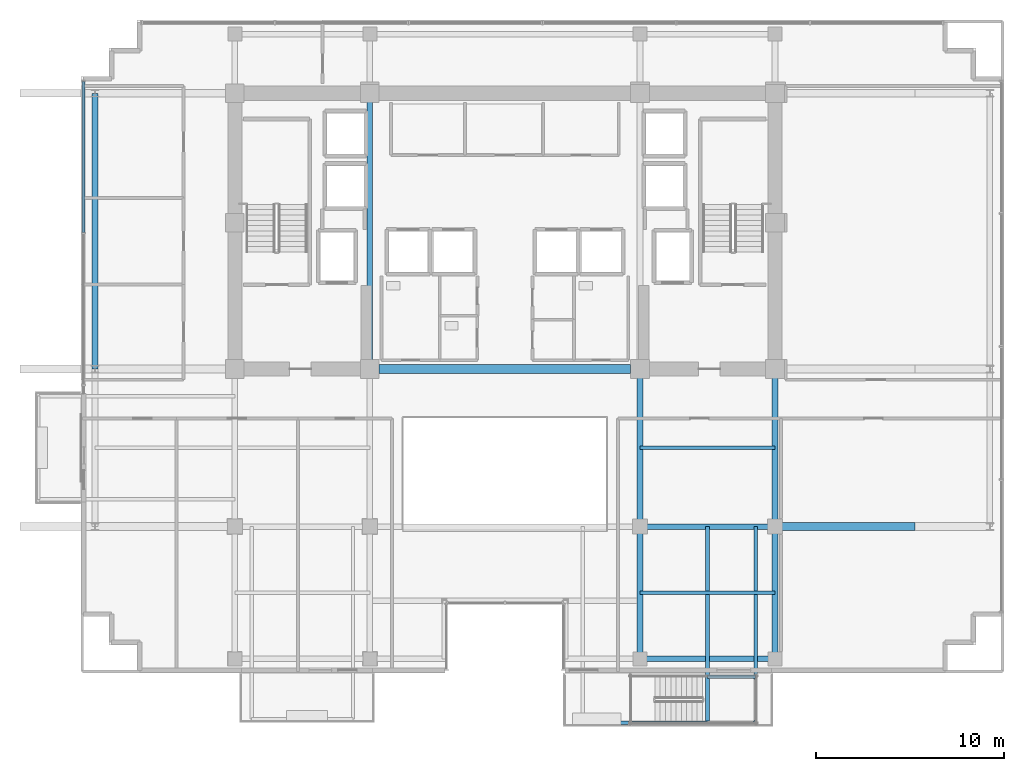
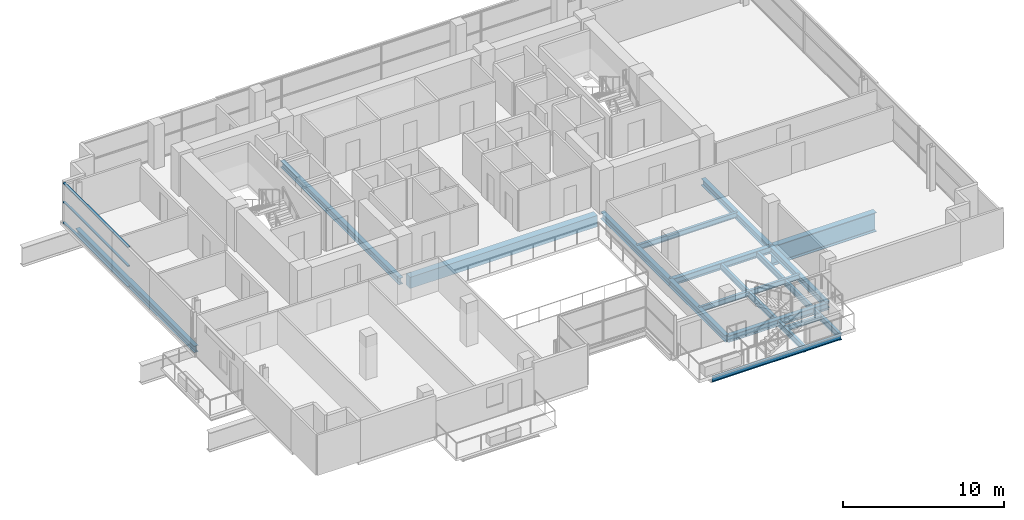
# One storey, part 6 of 23: 16 beams, 3 members, 1 element without a shape of its own.
"""IFC4 building model written with IfcOpenShell, lengths in metres."""

from ifc_helpers import new_model, si_unit, direction, frame, origin, origin_2d, place, context, subcontext, project, spatial, rectangle, hollow_rectangle, i_section, extrude, source, transform, mapped, material, layer, layer_set, material_profile, profile_set, type_object, element, aggregate, save


model = new_model("IFC4")

# Units and contexts
model_context = context("Model", 3, precision=1e-05, world=origin(), true_north=direction((0.0, 1.0)))
body_context = subcontext(model_context, "Body", "Model", "MODEL_VIEW")
ifc_project = project(units=[si_unit("LENGTHUNIT", "METRE"), si_unit("AREAUNIT", "SQUARE_METRE"), si_unit("VOLUMEUNIT", "CUBIC_METRE"), si_unit("PLANEANGLEUNIT", "RADIAN"), si_unit("MASSUNIT", "GRAM", prefix="KILO")], contexts=[model_context])

# Site, building, storey
site_placement = place(None, origin())
site = spatial("IfcSite", under=ifc_project, at=site_placement, CompositionType="ELEMENT")
building_placement = place(site_placement, origin())
building = spatial("IfcBuilding", under=site, at=building_placement, Name="Zarnakvel Exchange Tower", CompositionType="ELEMENT")
storey_placement = place(building_placement, frame((0.0, 0.0, 172.60009765625)))
storey = spatial("IfcBuildingStorey", under=building, at=storey_placement, Name="L48", CompositionType="ELEMENT", Elevation=172.60009765625)

# Beams
ifc_material_1 = material(Name="Steel S355", Category="steel")
ifc_material_profile_1 = material_profile(ifc_material_1, i_section(OverallWidth=0.18994140625, OverallDepth=0.449951171875, WebThickness=0.009521484375, FlangeThickness=0.0146484375, FilletRadius=0.02099609375, at=origin_2d()))
ifc_profile_set_1 = profile_set([ifc_material_profile_1], Name="Steel S355")
beam_type_1 = type_object("IfcBeamType", Name="B-05", PredefinedType="JOIST", material=ifc_profile_set_1)
for number, where, z_axis, x_axis, name in (
    (1, (13.3701171875, -9.60009765625, -0.47509765625), (0.0, -1.0, 0.0), (1.0, 0.0, 0.0), "L48 Continuous Spiral Terrace Beam E"),
    (2, (10.800048828125, -9.60009765625, -0.47509765625), (0.0, -1.0, 0.0), (1.0, 0.0, 0.0), "L48 Terrace Stair Plinth Beam W"),
):
    element("IfcBeam", number, at=place(storey_placement, frame(where, z_axis=z_axis, x_axis=x_axis)), inside=storey, type_object=beam_type_1, Name=name, PredefinedType="JOIST", context=body_context, shape_type="SweptSolid", body=[
        extrude(i_section(OverallWidth=0.18994140625, OverallDepth=0.449951171875, WebThickness=0.009521484375, FlangeThickness=0.0146484375, FilletRadius=0.02099609375, at=origin_2d()), origin(), (0.0, 0.0, 1.0), 10.4599609375),
    ])
ifc_material_profile_2 = material_profile(ifc_material_1, i_section(OverallWidth=0.179931640625, OverallDepth=0.39990234375, WebThickness=0.008544921875, FlangeThickness=0.013427734375, FilletRadius=0.02099609375, at=origin_2d()))
ifc_profile_set_2 = profile_set([ifc_material_profile_2], Name="Steel S355")
beam_type_2 = type_object("IfcBeamType", Name="B-06", PredefinedType="JOIST", material=ifc_profile_set_2)
for number, where, z_axis, x_axis, name in (
    (3, (7.199951171875, -13.125, -0.425048828125), (1.0, 0.0, 0.0), (0.0, 1.0, 0.0), "L48 Composite Floor Secondary Joist"),
    (4, (7.199951171875, -5.39990234375, -0.425048828125), (1.0, 0.0, 0.0), (0.0, 1.0, 0.0), "L48 Composite Floor Secondary Joist"),
):
    element("IfcBeam", number, at=place(storey_placement, frame(where, z_axis=z_axis, x_axis=x_axis)), inside=storey, type_object=beam_type_2, Name=name, PredefinedType="JOIST", context=body_context, shape_type="SweptSolid", body=[
        extrude(i_section(OverallWidth=0.179931640625, OverallDepth=0.39990234375, WebThickness=0.008544921875, FlangeThickness=0.013427734375, FilletRadius=0.02099609375, at=origin_2d()), origin(), (0.0, 0.0, 1.0), 7.199951171875),
    ])
ifc_material_profile_3 = material_profile(ifc_material_1, i_section(OverallWidth=0.169921875, OverallDepth=0.360107421875, WebThickness=0.008056640625, FlangeThickness=0.0126953125, FilletRadius=0.01806640625, at=origin_2d()))
ifc_profile_set_3 = profile_set([ifc_material_profile_3], Name="Steel S355")
beam_type_3 = type_object("IfcBeamType", Name="B-07", PredefinedType="JOIST", material=ifc_profile_set_3)
beam_1_placement = place(storey_placement, frame((4.14990234375, -20.06005859375, -0.43017578125), z_axis=(1.0, 0.0, 0.0), x_axis=(0.0, 1.0, 0.0)))
element("IfcBeam", 5, at=beam_1_placement, inside=storey, type_object=beam_type_3, Name="L48 Spiral Terrace Edge Beam", PredefinedType="JOIST", context=body_context, shape_type="SweptSolid", body=[
    extrude(i_section(OverallWidth=0.169921875, OverallDepth=0.360107421875, WebThickness=0.008056640625, FlangeThickness=0.0126953125, FilletRadius=0.01806640625, at=origin_2d()), origin(), (0.0, 0.0, 1.0), 9.22021484375),
])
beam_2_placement = place(storey_placement, frame((10.800048828125, -17.60009765625, -0.43017578125), z_axis=(1.0, 0.0, 0.0), x_axis=(0.0, 1.0, 0.0)))
element("IfcBeam", 6, at=beam_2_placement, inside=storey, type_object=beam_type_3, Name="L48 Terrace Stair Plinth Inner Beam", PredefinedType="JOIST", context=body_context, shape_type="SweptSolid", body=[
    extrude(i_section(OverallWidth=0.169921875, OverallDepth=0.360107421875, WebThickness=0.008056640625, FlangeThickness=0.0126953125, FilletRadius=0.01806640625, at=origin_2d()), origin(), (0.0, 0.0, 1.0), 2.570068359375),
])
ifc_material_2 = material(Name="Concrete C60/75", Category="concrete")
ifc_material_profile_4 = material_profile(ifc_material_2, rectangle(XDim=0.5, YDim=0.85009765625, at=origin_2d()))
ifc_profile_set_4 = profile_set([ifc_material_profile_4], Name="Concrete C60/75")
beam_type_4 = type_object("IfcBeamType", Name="CB-02", PredefinedType="LINTEL", material=ifc_profile_set_4)
beam_3_placement = place(storey_placement, frame((-6.699951171875, -1.199951171875, -0.650146484375), z_axis=(1.0, 0.0, 0.0), x_axis=(0.0, 1.0, 0.0)))
element("IfcBeam", 7, at=beam_3_placement, inside=storey, type_object=beam_type_4, Name="L48 Rear Core South Coupling Beam (CB-02)", PredefinedType="LINTEL", context=body_context, shape_type="SweptSolid", body=[
    extrude(rectangle(XDim=0.5, YDim=0.85009765625, at=origin_2d()), origin(), (0.0, 0.0, 1.0), 13.39990234375),
])
ifc_material_profile_5 = material_profile(ifc_material_1, i_section(OverallWidth=0.300048828125, OverallDepth=0.5, WebThickness=0.014404296875, FlangeThickness=0.028076171875, FilletRadius=0.027099609375, at=origin_2d()))
ifc_profile_set_5 = profile_set([ifc_material_profile_5], Name="Steel S355")
beam_type_5 = type_object("IfcBeamType", Name="G-06", PredefinedType="BEAM", material=ifc_profile_set_5)
beam_4_placement = place(storey_placement, frame((7.199951171875, -9.60009765625, -0.47509765625), z_axis=(1.0, 0.0, 0.0), x_axis=(0.0, 1.0, 0.0)))
element("IfcBeam", 8, at=beam_4_placement, inside=storey, type_object=beam_type_5, Name="L48 Tower E-W Frame Beam", PredefinedType="BEAM", context=body_context, shape_type="SweptSolid", body=[
    extrude(i_section(OverallWidth=0.300048828125, OverallDepth=0.5, WebThickness=0.014404296875, FlangeThickness=0.028076171875, FilletRadius=0.027099609375, at=origin_2d()), origin(), (0.0, 0.0, 1.0), 7.199951171875),
])
beam_5_placement = place(storey_placement, frame((-7.199951171875, -1.199951171875, -0.47509765625), z_axis=(0.0, 1.0, 0.0), x_axis=(-1.0, 0.0, 0.0)))
element("IfcBeam", 9, at=beam_5_placement, inside=storey, type_object=beam_type_5, Name="L48 Tower N-S Frame Beam", PredefinedType="BEAM", context=body_context, shape_type="SweptSolid", body=[
    extrude(i_section(OverallWidth=0.300048828125, OverallDepth=0.5, WebThickness=0.014404296875, FlangeThickness=0.028076171875, FilletRadius=0.027099609375, at=origin_2d()), origin(), (0.0, 0.0, 1.0), 14.699951171875),
])
beam_6_placement = place(storey_placement, frame((7.199951171875, -16.64990234375, -0.47509765625), z_axis=(0.0, 1.0, 0.0), x_axis=(-1.0, 0.0, 0.0)))
element("IfcBeam", 10, at=beam_6_placement, inside=storey, type_object=beam_type_5, Name="L48 Tower N-S Frame Beam", PredefinedType="BEAM", context=body_context, shape_type="SweptSolid", body=[
    extrude(i_section(OverallWidth=0.300048828125, OverallDepth=0.5, WebThickness=0.014404296875, FlangeThickness=0.028076171875, FilletRadius=0.027099609375, at=origin_2d()), origin(), (0.0, 0.0, 1.0), 7.0498046875),
])
beam_7_placement = place(storey_placement, frame((7.199951171875, -9.60009765625, -0.47509765625), z_axis=(0.0, 1.0, 0.0), x_axis=(-1.0, 0.0, 0.0)))
element("IfcBeam", 11, at=beam_7_placement, inside=storey, type_object=beam_type_5, Name="L48 Tower N-S Frame Beam", PredefinedType="BEAM", context=body_context, shape_type="SweptSolid", body=[
    extrude(i_section(OverallWidth=0.300048828125, OverallDepth=0.5, WebThickness=0.014404296875, FlangeThickness=0.028076171875, FilletRadius=0.027099609375, at=origin_2d()), origin(), (0.0, 0.0, 1.0), 8.400146484375),
])
beam_8_placement = place(storey_placement, frame((14.39990234375, -16.64990234375, -0.47509765625), z_axis=(0.0, 1.0, 0.0), x_axis=(-1.0, 0.0, 0.0)))
element("IfcBeam", 12, at=beam_8_placement, inside=storey, type_object=beam_type_5, Name="L48 Tower N-S Frame Beam", PredefinedType="BEAM", context=body_context, shape_type="SweptSolid", body=[
    extrude(i_section(OverallWidth=0.300048828125, OverallDepth=0.5, WebThickness=0.014404296875, FlangeThickness=0.028076171875, FilletRadius=0.027099609375, at=origin_2d()), origin(), (0.0, 0.0, 1.0), 7.0498046875),
])
beam_9_placement = place(storey_placement, frame((14.39990234375, -9.60009765625, -0.47509765625), z_axis=(0.0, 1.0, 0.0), x_axis=(-1.0, 0.0, 0.0)))
element("IfcBeam", 13, at=beam_9_placement, inside=storey, type_object=beam_type_5, Name="L48 Tower N-S Frame Beam", PredefinedType="BEAM", context=body_context, shape_type="SweptSolid", body=[
    extrude(i_section(OverallWidth=0.300048828125, OverallDepth=0.5, WebThickness=0.014404296875, FlangeThickness=0.028076171875, FilletRadius=0.027099609375, at=origin_2d()), origin(), (0.0, 0.0, 1.0), 8.400146484375),
])
ifc_material_profile_6 = material_profile(ifc_material_1, i_section(OverallWidth=0.300048828125, OverallDepth=0.5, WebThickness=0.014404296875, FlangeThickness=0.028076171875, FilletRadius=0.027099609375, at=origin_2d()))
ifc_profile_set_6 = profile_set([ifc_material_profile_6], Name="Steel S355")
beam_type_6 = type_object("IfcBeamType", Name="SP-02", PredefinedType="SPANDREL", material=ifc_profile_set_6)
beam_10_placement = place(storey_placement, frame((7.199951171875, -16.64990234375, -0.47509765625), z_axis=(1.0, 0.0, 0.0), x_axis=(0.0, 1.0, 0.0)))
element("IfcBeam", 14, at=beam_10_placement, inside=storey, type_object=beam_type_6, Name="L48 Tower E-W Frame Beam", PredefinedType="SPANDREL", context=body_context, shape_type="SweptSolid", body=[
    extrude(i_section(OverallWidth=0.300048828125, OverallDepth=0.5, WebThickness=0.014404296875, FlangeThickness=0.028076171875, FilletRadius=0.027099609375, at=origin_2d()), origin(), (0.0, 0.0, 1.0), 7.199951171875),
])
beam_11_placement = place(storey_placement, frame((-21.85009765625, -1.199951171875, -0.47509765625), z_axis=(0.0, 1.0, 0.0), x_axis=(-1.0, 0.0, 0.0)))
element("IfcBeam", 15, at=beam_11_placement, inside=storey, type_object=beam_type_6, Name="L48 Tower N-S Frame Beam", PredefinedType="SPANDREL", context=body_context, shape_type="SweptSolid", body=[
    extrude(i_section(OverallWidth=0.300048828125, OverallDepth=0.5, WebThickness=0.014404296875, FlangeThickness=0.028076171875, FilletRadius=0.027099609375, at=origin_2d()), origin(), (0.0, 0.0, 1.0), 14.699951171875),
])
ifc_material_3 = material(Name="Steel S460", Category="steel")
ifc_material_profile_7 = material_profile(ifc_material_3, i_section(OverallWidth=0.419921875, OverallDepth=1.449951171875, WebThickness=0.02392578125, FlangeThickness=0.0400390625, FilletRadius=0.030029296875, at=origin_2d()))
ifc_profile_set_7 = profile_set([ifc_material_profile_7], Name="Steel S460")
beam_type_7 = type_object("IfcBeamType", Name="TG-01", PredefinedType="BEAM", material=ifc_profile_set_7)
beam_12_placement = place(storey_placement, frame((14.39990234375, -9.60009765625, -0.9501953125), z_axis=(1.0, 0.0, 0.0), x_axis=(0.0, 1.0, 0.0)))
element("IfcBeam", 16, at=beam_12_placement, inside=storey, type_object=beam_type_7, Name="L48 Block-Shift Backspan Transfer TE-C", PredefinedType="BEAM", context=body_context, shape_type="SweptSolid", body=[
    extrude(i_section(OverallWidth=0.419921875, OverallDepth=1.449951171875, WebThickness=0.02392578125, FlangeThickness=0.0400390625, FilletRadius=0.030029296875, at=origin_2d()), origin(), (0.0, 0.0, 1.0), 7.4501953125),
])

# Curtain wall, members
ifc_material_4 = material(Name="Architectural Bronze Anodised Aluminium", Category="aluminium")
ifc_layer = layer(ifc_material_4, 0.199951171875)
ifc_layer_set = layer_set([ifc_layer], Name="Architectural Bronze Anodised Aluminium")
curtain_wall_type = type_object("IfcCurtainWallType", Name="CW-04", PredefinedType="NOTDEFINED", material=ifc_layer_set)
curtain_wall_placement = place(storey_placement, origin())
curtain_wall = element("IfcCurtainWall", 17, at=curtain_wall_placement, inside=storey, type_object=curtain_wall_type, Name="L48 Curtain Wall CW-L48-WN (CW-04)", PredefinedType="NOTDEFINED")
ifc_material_profile_8 = material_profile(ifc_material_4, hollow_rectangle(XDim=0.159912109375, YDim=0.074951171875, WallThickness=0.00390625, at=origin_2d()))
ifc_profile_set_8 = profile_set([ifc_material_profile_8], Name="Architectural Bronze Anodised Aluminium")
member_type = type_object("IfcMemberType", Name="CWT-04", PredefinedType="USERDEFINED", material=ifc_profile_set_8)
shared_shape = source(origin(), body_context, "Body", "SweptSolid", [
    extrude(hollow_rectangle(XDim=0.159912109375, YDim=0.074951171875, WallThickness=0.00390625, at=origin_2d()), origin(), (0.0, 0.0, 1.0), 8.03759765625),
])
member_1_placement = place(storey_placement, frame((-22.4599609375, 6.08740234375, 0.037353515625), z_axis=(0.0, 1.0, 0.0), x_axis=(-1.0, 0.0, 0.0)))
member_1 = element("IfcMember", 18, at=member_1_placement, type_object=member_type, Name="CW-04 transom 2.1", ObjectType="TRANSOM", PredefinedType="USERDEFINED", context=body_context, shape_type="MappedRepresentation", body=[
    mapped(shared_shape, transform((0.0, 0.0, 0.0), x_axis=(1.0, 0.0, 0.0), y_axis=(0.0, 1.0, 0.0), z_axis=(0.0, 0.0, 1.0), scale=1.0)),
])
member_2_placement = place(storey_placement, frame((-22.4599609375, 6.08740234375, 1.588623046875), z_axis=(0.0, 1.0, 0.0), x_axis=(-1.0, 0.0, 0.0)))
member_2 = element("IfcMember", 19, at=member_2_placement, type_object=member_type, Name="CW-04 transom 2.2", ObjectType="TRANSOM", PredefinedType="USERDEFINED", context=body_context, shape_type="MappedRepresentation", body=[
    mapped(shared_shape, transform((0.0, 0.0, 0.0), x_axis=(1.0, 0.0, 0.0), y_axis=(0.0, 1.0, 0.0), z_axis=(0.0, 0.0, 1.0), scale=1.0)),
])
member_3_placement = place(storey_placement, frame((-22.4599609375, 6.08740234375, 3.017333984375), z_axis=(0.0, 1.0, 0.0), x_axis=(-1.0, 0.0, 0.0)))
member_3 = element("IfcMember", 20, at=member_3_placement, type_object=member_type, Name="CW-04 transom 2.3", ObjectType="TRANSOM", PredefinedType="USERDEFINED", context=body_context, shape_type="MappedRepresentation", body=[
    mapped(shared_shape, transform((0.0, 0.0, 0.0), x_axis=(1.0, 0.0, 0.0), y_axis=(0.0, 1.0, 0.0), z_axis=(0.0, 0.0, 1.0), scale=1.0)),
])
aggregate(curtain_wall, [member_1, member_2, member_3])

save(model, "model.ifc")
